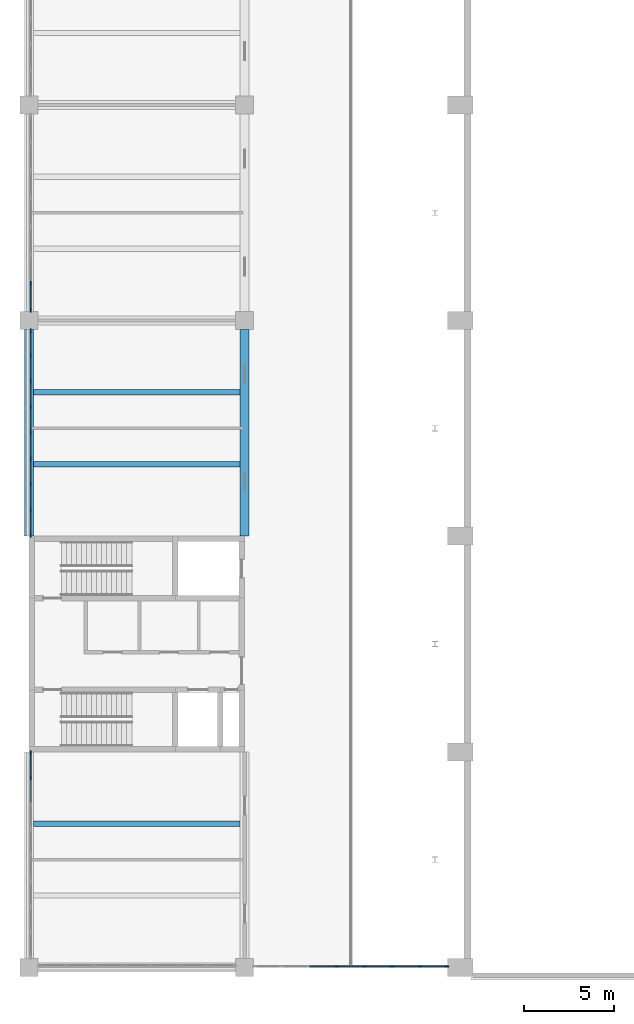
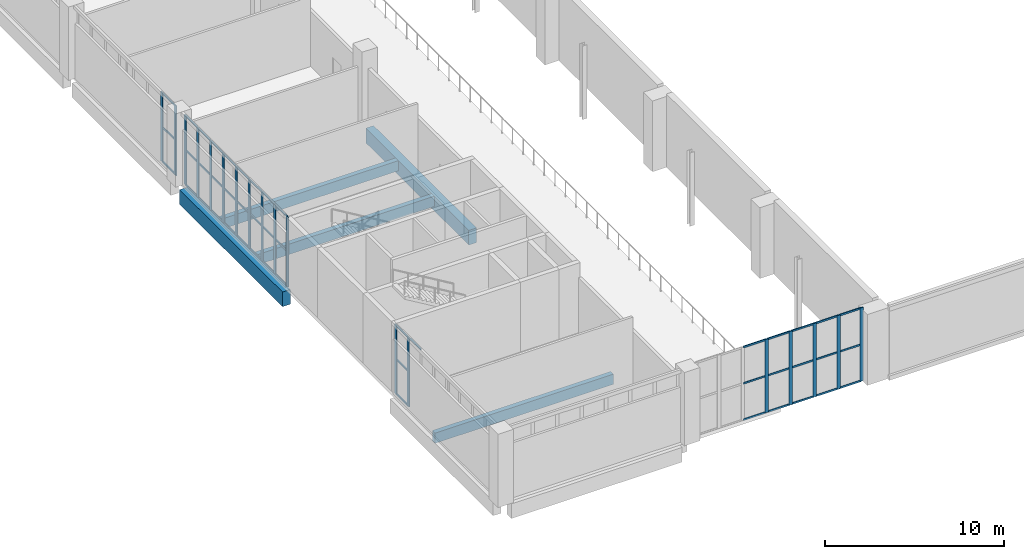
# One storey, part 13 of 69: 64 members, 5 beams, 4 elements without a shape of their own.
"""IFC4 building model written with IfcOpenShell, lengths in metres."""

from ifc_helpers import new_model, si_unit, direction, frame, origin, origin_2d, place, context, subcontext, project, spatial, rectangle, extrude, material, layer, layer_set, material_profile, profile_set, type_object, element, aggregate, save


model = new_model("IFC4")

# Units and contexts
model_context = context("Model", 3, precision=1e-05, world=origin(), true_north=direction((0.0, 1.0)))
body_context = subcontext(model_context, "Body", "Model", "MODEL_VIEW")
ifc_project = project(units=[si_unit("LENGTHUNIT", "METRE"), si_unit("AREAUNIT", "SQUARE_METRE"), si_unit("VOLUMEUNIT", "CUBIC_METRE"), si_unit("PLANEANGLEUNIT", "RADIAN"), si_unit("MASSUNIT", "GRAM", prefix="KILO")], contexts=[model_context])

# Site, building, storey
site_placement = place(None, origin())
site = spatial("IfcSite", under=ifc_project, at=site_placement, CompositionType="ELEMENT")
building_placement = place(site_placement, origin())
building = spatial("IfcBuilding", under=site, at=building_placement, Name="Lilac Gate Convention Centre", CompositionType="ELEMENT")
storey_placement = place(building_placement, frame((0.0, 0.0, 12.0)))
storey = spatial("IfcBuildingStorey", under=building, at=storey_placement, Name="L02", CompositionType="ELEMENT", Elevation=12.0)

# Curtain wall, members
ifc_material_1 = material(Name="Aluminium framed double glazing", Category="aluminium")
ifc_layer = layer(ifc_material_1, 0.199951171875)
ifc_layer_set = layer_set([ifc_layer], Name="Aluminium framed double glazing")
curtain_wall_type = type_object("IfcCurtainWallType", Name="Unitised curtain wall 1500", PredefinedType="NOTDEFINED", material=ifc_layer_set)
curtain_wall_1_placement = place(storey_placement, origin())
curtain_wall_1 = element("IfcCurtainWall", 1, at=curtain_wall_1_placement, inside=storey, type_object=curtain_wall_type, Name="Curtain wall PW L02 10", PredefinedType="NOTDEFINED")
ifc_material_2 = material(Name="Aluminium alloy 6063", Category="aluminium")
ifc_material_profile_1 = material_profile(ifc_material_2, rectangle(XDim=0.06005859375, YDim=0.219970703125, at=origin_2d()), Name="Curtain wall mullion 60 x 220")
ifc_profile_set_1 = profile_set([ifc_material_profile_1], Name="Aluminium alloy 6063")
member_type_1 = type_object("IfcMemberType", Name="Curtain wall mullion 60 x 220", PredefinedType="MULLION", material=ifc_profile_set_1)
member_1_placement = place(storey_placement, frame((6.10009765625, 68.071533203125, 0.0), z_axis=(0.0, 0.0, 1.0), x_axis=(1.0, 0.0, 0.0)))
member_1 = element("IfcMember", 2, at=member_1_placement, type_object=member_type_1, Name="CW mullion 7", PredefinedType="MULLION", context=body_context, shape_type="SweptSolid", body=[
    extrude(rectangle(XDim=0.06005859375, YDim=0.219970703125, at=origin_2d()), origin(), (0.0, 0.0, 1.0), 4.75),
])
member_2_placement = place(storey_placement, frame((6.10009765625, 66.56005859375, 0.0), z_axis=(0.0, 0.0, 1.0), x_axis=(1.0, 0.0, 0.0)))
member_2 = element("IfcMember", 3, at=member_2_placement, type_object=member_type_1, Name="CW mullion 8", PredefinedType="MULLION", context=body_context, shape_type="SweptSolid", body=[
    extrude(rectangle(XDim=0.06005859375, YDim=0.219970703125, at=origin_2d()), origin(), (0.0, 0.0, 1.0), 4.75),
])

curtain_wall_2_placement = place(storey_placement, origin())
curtain_wall_2 = element("IfcCurtainWall", 4, at=curtain_wall_2_placement, inside=storey, type_object=curtain_wall_type, Name="Curtain wall PW L02 11", PredefinedType="NOTDEFINED")
member_3_placement = place(storey_placement, frame((6.10009765625, 65.43994140625, 0.0), z_axis=(0.0, 0.0, 1.0), x_axis=(1.0, 0.0, 0.0)))
member_3 = element("IfcMember", 5, at=member_3_placement, type_object=member_type_1, Name="CW mullion 1", PredefinedType="MULLION", context=body_context, shape_type="SweptSolid", body=[
    extrude(rectangle(XDim=0.06005859375, YDim=0.219970703125, at=origin_2d()), origin(), (0.0, 0.0, 1.0), 4.75),
])
member_4_placement = place(storey_placement, frame((6.10009765625, 64.0625, 0.0), z_axis=(0.0, 0.0, 1.0), x_axis=(1.0, 0.0, 0.0)))
member_4 = element("IfcMember", 6, at=member_4_placement, type_object=member_type_1, Name="CW mullion 2", PredefinedType="MULLION", context=body_context, shape_type="SweptSolid", body=[
    extrude(rectangle(XDim=0.06005859375, YDim=0.219970703125, at=origin_2d()), origin(), (0.0, 0.0, 1.0), 4.75),
])
member_5_placement = place(storey_placement, frame((6.10009765625, 62.625, 0.0), z_axis=(0.0, 0.0, 1.0), x_axis=(1.0, 0.0, 0.0)))
member_5 = element("IfcMember", 7, at=member_5_placement, type_object=member_type_1, Name="CW mullion 3", PredefinedType="MULLION", context=body_context, shape_type="SweptSolid", body=[
    extrude(rectangle(XDim=0.06005859375, YDim=0.219970703125, at=origin_2d()), origin(), (0.0, 0.0, 1.0), 4.75),
])
member_6_placement = place(storey_placement, frame((6.10009765625, 61.1875, 0.0), z_axis=(0.0, 0.0, 1.0), x_axis=(1.0, 0.0, 0.0)))
member_6 = element("IfcMember", 8, at=member_6_placement, type_object=member_type_1, Name="CW mullion 4", PredefinedType="MULLION", context=body_context, shape_type="SweptSolid", body=[
    extrude(rectangle(XDim=0.06005859375, YDim=0.219970703125, at=origin_2d()), origin(), (0.0, 0.0, 1.0), 4.75),
])
member_7_placement = place(storey_placement, frame((6.10009765625, 59.75, 0.0), z_axis=(0.0, 0.0, 1.0), x_axis=(1.0, 0.0, 0.0)))
member_7 = element("IfcMember", 9, at=member_7_placement, type_object=member_type_1, Name="CW mullion 5", PredefinedType="MULLION", context=body_context, shape_type="SweptSolid", body=[
    extrude(rectangle(XDim=0.06005859375, YDim=0.219970703125, at=origin_2d()), origin(), (0.0, 0.0, 1.0), 4.75),
])
member_8_placement = place(storey_placement, frame((6.10009765625, 58.3125, 0.0), z_axis=(0.0, 0.0, 1.0), x_axis=(1.0, 0.0, 0.0)))
member_8 = element("IfcMember", 10, at=member_8_placement, type_object=member_type_1, Name="CW mullion 6", PredefinedType="MULLION", context=body_context, shape_type="SweptSolid", body=[
    extrude(rectangle(XDim=0.06005859375, YDim=0.219970703125, at=origin_2d()), origin(), (0.0, 0.0, 1.0), 4.75),
])
member_9_placement = place(storey_placement, frame((6.10009765625, 56.875, 0.0), z_axis=(0.0, 0.0, 1.0), x_axis=(1.0, 0.0, 0.0)))
member_9 = element("IfcMember", 11, at=member_9_placement, type_object=member_type_1, Name="CW mullion 7", PredefinedType="MULLION", context=body_context, shape_type="SweptSolid", body=[
    extrude(rectangle(XDim=0.06005859375, YDim=0.219970703125, at=origin_2d()), origin(), (0.0, 0.0, 1.0), 4.75),
])
member_10_placement = place(storey_placement, frame((6.10009765625, 55.4375, 0.0), z_axis=(0.0, 0.0, 1.0), x_axis=(1.0, 0.0, 0.0)))
member_10 = element("IfcMember", 12, at=member_10_placement, type_object=member_type_1, Name="CW mullion 8", PredefinedType="MULLION", context=body_context, shape_type="SweptSolid", body=[
    extrude(rectangle(XDim=0.06005859375, YDim=0.219970703125, at=origin_2d()), origin(), (0.0, 0.0, 1.0), 4.75),
])
member_11_placement = place(storey_placement, frame((6.10009765625, 54.06005859375, 0.0), z_axis=(0.0, 0.0, 1.0), x_axis=(1.0, 0.0, 0.0)))
member_11 = element("IfcMember", 13, at=member_11_placement, type_object=member_type_1, Name="CW mullion 9", PredefinedType="MULLION", context=body_context, shape_type="SweptSolid", body=[
    extrude(rectangle(XDim=0.06005859375, YDim=0.219970703125, at=origin_2d()), origin(), (0.0, 0.0, 1.0), 4.75),
])

curtain_wall_3_placement = place(storey_placement, origin())
curtain_wall_3 = element("IfcCurtainWall", 14, at=curtain_wall_3_placement, inside=storey, type_object=curtain_wall_type, Name="Curtain wall PW L02 12", PredefinedType="NOTDEFINED")
member_12_placement = place(storey_placement, frame((6.10009765625, 41.93994140625, 0.0), z_axis=(0.0, 0.0, 1.0), x_axis=(1.0, 0.0, 0.0)))
member_12 = element("IfcMember", 15, at=member_12_placement, type_object=member_type_1, Name="CW mullion 1", PredefinedType="MULLION", context=body_context, shape_type="SweptSolid", body=[
    extrude(rectangle(XDim=0.06005859375, YDim=0.219970703125, at=origin_2d()), origin(), (0.0, 0.0, 1.0), 4.75),
])
member_13_placement = place(storey_placement, frame((6.10009765625, 40.5625, 0.0), z_axis=(0.0, 0.0, 1.0), x_axis=(1.0, 0.0, 0.0)))
member_13 = element("IfcMember", 16, at=member_13_placement, type_object=member_type_1, Name="CW mullion 2", PredefinedType="MULLION", context=body_context, shape_type="SweptSolid", body=[
    extrude(rectangle(XDim=0.06005859375, YDim=0.219970703125, at=origin_2d()), origin(), (0.0, 0.0, 1.0), 4.75),
])

curtain_wall_4_placement = place(storey_placement, origin())
curtain_wall_4 = element("IfcCurtainWall", 17, at=curtain_wall_4_placement, inside=storey, type_object=curtain_wall_type, Name="Galleria end glazing L02", PredefinedType="NOTDEFINED")
member_14_placement = place(storey_placement, frame((23.128662109375, 30.050048828125, 0.0), z_axis=(0.0, 0.0, 1.0), x_axis=(0.0, 1.0, 0.0)))
member_14 = element("IfcMember", 18, at=member_14_placement, type_object=member_type_1, Name="CW mullion 4", PredefinedType="MULLION", context=body_context, shape_type="SweptSolid", body=[
    extrude(rectangle(XDim=0.06005859375, YDim=0.219970703125, at=origin_2d()), origin(), (0.0, 0.0, 1.0), 5.0),
])
member_15_placement = place(storey_placement, frame((24.67138671875, 30.050048828125, 0.0), z_axis=(0.0, 0.0, 1.0), x_axis=(0.0, 1.0, 0.0)))
member_15 = element("IfcMember", 19, at=member_15_placement, type_object=member_type_1, Name="CW mullion 5", PredefinedType="MULLION", context=body_context, shape_type="SweptSolid", body=[
    extrude(rectangle(XDim=0.06005859375, YDim=0.219970703125, at=origin_2d()), origin(), (0.0, 0.0, 1.0), 5.0),
])
member_16_placement = place(storey_placement, frame((26.21435546875, 30.050048828125, 0.0), z_axis=(0.0, 0.0, 1.0), x_axis=(0.0, 1.0, 0.0)))
member_16 = element("IfcMember", 20, at=member_16_placement, type_object=member_type_1, Name="CW mullion 6", PredefinedType="MULLION", context=body_context, shape_type="SweptSolid", body=[
    extrude(rectangle(XDim=0.06005859375, YDim=0.219970703125, at=origin_2d()), origin(), (0.0, 0.0, 1.0), 5.0),
])
member_17_placement = place(storey_placement, frame((27.757080078125, 30.050048828125, 0.0), z_axis=(0.0, 0.0, 1.0), x_axis=(0.0, 1.0, 0.0)))
member_17 = element("IfcMember", 21, at=member_17_placement, type_object=member_type_1, Name="CW mullion 7", PredefinedType="MULLION", context=body_context, shape_type="SweptSolid", body=[
    extrude(rectangle(XDim=0.06005859375, YDim=0.219970703125, at=origin_2d()), origin(), (0.0, 0.0, 1.0), 5.0),
])
member_18_placement = place(storey_placement, frame((29.239990234375, 30.050048828125, 0.0), z_axis=(0.0, 0.0, 1.0), x_axis=(0.0, 1.0, 0.0)))
member_18 = element("IfcMember", 22, at=member_18_placement, type_object=member_type_1, Name="CW mullion 8", PredefinedType="MULLION", context=body_context, shape_type="SweptSolid", body=[
    extrude(rectangle(XDim=0.06005859375, YDim=0.219970703125, at=origin_2d()), origin(), (0.0, 0.0, 1.0), 5.0),
])

# Member
ifc_material_profile_2 = material_profile(ifc_material_2, rectangle(XDim=0.06005859375, YDim=0.1201171875, at=origin_2d()), Name="Curtain wall transom 60 x 120")
ifc_profile_set_2 = profile_set([ifc_material_profile_2], Name="Aluminium alloy 6063")
member_type_2 = type_object("IfcMemberType", Name="Curtain wall transom 60 x 120", PredefinedType="USERDEFINED", material=ifc_profile_set_2)
member_19_placement = place(storey_placement, frame((6.10009765625, 68.04150390625, 0.030029296875), z_axis=(0.0, -1.0, 0.0), x_axis=(1.0, 0.0, 0.0)))
member_19 = element("IfcMember", 23, at=member_19_placement, type_object=member_type_2, Name="CW transom 7.1", ObjectType="TRANSOM", PredefinedType="USERDEFINED", context=body_context, shape_type="SweptSolid", body=[
    extrude(rectangle(XDim=0.06005859375, YDim=0.1201171875, at=origin_2d()), origin(), (0.0, 0.0, 1.0), 1.4814453125),
])

member_20_placement = place(storey_placement, frame((6.10009765625, 68.04150390625, 2.375), z_axis=(0.0, -1.0, 0.0), x_axis=(1.0, 0.0, 0.0)))
member_20 = element("IfcMember", 24, at=member_20_placement, type_object=member_type_2, Name="CW transom 7.2", ObjectType="TRANSOM", PredefinedType="USERDEFINED", context=body_context, shape_type="SweptSolid", body=[
    extrude(rectangle(XDim=0.06005859375, YDim=0.1201171875, at=origin_2d()), origin(), (0.0, 0.0, 1.0), 1.4814453125),
])

member_21_placement = place(storey_placement, frame((6.10009765625, 68.04150390625, 4.719970703125), z_axis=(0.0, -1.0, 0.0), x_axis=(1.0, 0.0, 0.0)))
member_21 = element("IfcMember", 25, at=member_21_placement, type_object=member_type_2, Name="CW transom 7.3", ObjectType="TRANSOM", PredefinedType="USERDEFINED", context=body_context, shape_type="SweptSolid", body=[
    extrude(rectangle(XDim=0.06005859375, YDim=0.1201171875, at=origin_2d()), origin(), (0.0, 0.0, 1.0), 1.4814453125),
])

aggregate(curtain_wall_1, [member_1, member_2, member_19, member_20, member_21])

member_22_placement = place(storey_placement, frame((6.10009765625, 65.43994140625, 0.030029296875), z_axis=(0.0, -1.0, 0.0), x_axis=(1.0, 0.0, 0.0)))
member_22 = element("IfcMember", 26, at=member_22_placement, type_object=member_type_2, Name="CW transom 1.1", ObjectType="TRANSOM", PredefinedType="USERDEFINED", context=body_context, shape_type="SweptSolid", body=[
    extrude(rectangle(XDim=0.06005859375, YDim=0.1201171875, at=origin_2d()), origin(), (0.0, 0.0, 1.0), 1.347412109375),
])

member_23_placement = place(storey_placement, frame((6.10009765625, 65.43994140625, 2.375), z_axis=(0.0, -1.0, 0.0), x_axis=(1.0, 0.0, 0.0)))
member_23 = element("IfcMember", 27, at=member_23_placement, type_object=member_type_2, Name="CW transom 1.2", ObjectType="TRANSOM", PredefinedType="USERDEFINED", context=body_context, shape_type="SweptSolid", body=[
    extrude(rectangle(XDim=0.06005859375, YDim=0.1201171875, at=origin_2d()), origin(), (0.0, 0.0, 1.0), 1.347412109375),
])

member_24_placement = place(storey_placement, frame((6.10009765625, 65.43994140625, 4.719970703125), z_axis=(0.0, -1.0, 0.0), x_axis=(1.0, 0.0, 0.0)))
member_24 = element("IfcMember", 28, at=member_24_placement, type_object=member_type_2, Name="CW transom 1.3", ObjectType="TRANSOM", PredefinedType="USERDEFINED", context=body_context, shape_type="SweptSolid", body=[
    extrude(rectangle(XDim=0.06005859375, YDim=0.1201171875, at=origin_2d()), origin(), (0.0, 0.0, 1.0), 1.347412109375),
])

member_25_placement = place(storey_placement, frame((6.10009765625, 64.032470703125, 0.030029296875), z_axis=(0.0, -1.0, 0.0), x_axis=(1.0, 0.0, 0.0)))
member_25 = element("IfcMember", 29, at=member_25_placement, type_object=member_type_2, Name="CW transom 2.1", ObjectType="TRANSOM", PredefinedType="USERDEFINED", context=body_context, shape_type="SweptSolid", body=[
    extrude(rectangle(XDim=0.06005859375, YDim=0.1201171875, at=origin_2d()), origin(), (0.0, 0.0, 1.0), 1.37744140625),
])

member_26_placement = place(storey_placement, frame((6.10009765625, 64.032470703125, 2.375), z_axis=(0.0, -1.0, 0.0), x_axis=(1.0, 0.0, 0.0)))
member_26 = element("IfcMember", 30, at=member_26_placement, type_object=member_type_2, Name="CW transom 2.2", ObjectType="TRANSOM", PredefinedType="USERDEFINED", context=body_context, shape_type="SweptSolid", body=[
    extrude(rectangle(XDim=0.06005859375, YDim=0.1201171875, at=origin_2d()), origin(), (0.0, 0.0, 1.0), 1.37744140625),
])

member_27_placement = place(storey_placement, frame((6.10009765625, 64.032470703125, 4.719970703125), z_axis=(0.0, -1.0, 0.0), x_axis=(1.0, 0.0, 0.0)))
member_27 = element("IfcMember", 31, at=member_27_placement, type_object=member_type_2, Name="CW transom 2.3", ObjectType="TRANSOM", PredefinedType="USERDEFINED", context=body_context, shape_type="SweptSolid", body=[
    extrude(rectangle(XDim=0.06005859375, YDim=0.1201171875, at=origin_2d()), origin(), (0.0, 0.0, 1.0), 1.37744140625),
])

member_28_placement = place(storey_placement, frame((6.10009765625, 62.594970703125, 0.030029296875), z_axis=(0.0, -1.0, 0.0), x_axis=(1.0, 0.0, 0.0)))
member_28 = element("IfcMember", 32, at=member_28_placement, type_object=member_type_2, Name="CW transom 3.1", ObjectType="TRANSOM", PredefinedType="USERDEFINED", context=body_context, shape_type="SweptSolid", body=[
    extrude(rectangle(XDim=0.06005859375, YDim=0.1201171875, at=origin_2d()), origin(), (0.0, 0.0, 1.0), 1.37744140625),
])

member_29_placement = place(storey_placement, frame((6.10009765625, 62.594970703125, 2.375), z_axis=(0.0, -1.0, 0.0), x_axis=(1.0, 0.0, 0.0)))
member_29 = element("IfcMember", 33, at=member_29_placement, type_object=member_type_2, Name="CW transom 3.2", ObjectType="TRANSOM", PredefinedType="USERDEFINED", context=body_context, shape_type="SweptSolid", body=[
    extrude(rectangle(XDim=0.06005859375, YDim=0.1201171875, at=origin_2d()), origin(), (0.0, 0.0, 1.0), 1.37744140625),
])

member_30_placement = place(storey_placement, frame((6.10009765625, 62.594970703125, 4.719970703125), z_axis=(0.0, -1.0, 0.0), x_axis=(1.0, 0.0, 0.0)))
member_30 = element("IfcMember", 34, at=member_30_placement, type_object=member_type_2, Name="CW transom 3.3", ObjectType="TRANSOM", PredefinedType="USERDEFINED", context=body_context, shape_type="SweptSolid", body=[
    extrude(rectangle(XDim=0.06005859375, YDim=0.1201171875, at=origin_2d()), origin(), (0.0, 0.0, 1.0), 1.37744140625),
])

member_31_placement = place(storey_placement, frame((6.10009765625, 61.157470703125, 0.030029296875), z_axis=(0.0, -1.0, 0.0), x_axis=(1.0, 0.0, 0.0)))
member_31 = element("IfcMember", 35, at=member_31_placement, type_object=member_type_2, Name="CW transom 4.1", ObjectType="TRANSOM", PredefinedType="USERDEFINED", context=body_context, shape_type="SweptSolid", body=[
    extrude(rectangle(XDim=0.06005859375, YDim=0.1201171875, at=origin_2d()), origin(), (0.0, 0.0, 1.0), 1.37744140625),
])

member_32_placement = place(storey_placement, frame((6.10009765625, 61.157470703125, 2.375), z_axis=(0.0, -1.0, 0.0), x_axis=(1.0, 0.0, 0.0)))
member_32 = element("IfcMember", 36, at=member_32_placement, type_object=member_type_2, Name="CW transom 4.2", ObjectType="TRANSOM", PredefinedType="USERDEFINED", context=body_context, shape_type="SweptSolid", body=[
    extrude(rectangle(XDim=0.06005859375, YDim=0.1201171875, at=origin_2d()), origin(), (0.0, 0.0, 1.0), 1.37744140625),
])

member_33_placement = place(storey_placement, frame((6.10009765625, 61.157470703125, 4.719970703125), z_axis=(0.0, -1.0, 0.0), x_axis=(1.0, 0.0, 0.0)))
member_33 = element("IfcMember", 37, at=member_33_placement, type_object=member_type_2, Name="CW transom 4.3", ObjectType="TRANSOM", PredefinedType="USERDEFINED", context=body_context, shape_type="SweptSolid", body=[
    extrude(rectangle(XDim=0.06005859375, YDim=0.1201171875, at=origin_2d()), origin(), (0.0, 0.0, 1.0), 1.37744140625),
])

member_34_placement = place(storey_placement, frame((6.10009765625, 59.719970703125, 0.030029296875), z_axis=(0.0, -1.0, 0.0), x_axis=(1.0, 0.0, 0.0)))
member_34 = element("IfcMember", 38, at=member_34_placement, type_object=member_type_2, Name="CW transom 5.1", ObjectType="TRANSOM", PredefinedType="USERDEFINED", context=body_context, shape_type="SweptSolid", body=[
    extrude(rectangle(XDim=0.06005859375, YDim=0.1201171875, at=origin_2d()), origin(), (0.0, 0.0, 1.0), 1.37744140625),
])

member_35_placement = place(storey_placement, frame((6.10009765625, 59.719970703125, 2.375), z_axis=(0.0, -1.0, 0.0), x_axis=(1.0, 0.0, 0.0)))
member_35 = element("IfcMember", 39, at=member_35_placement, type_object=member_type_2, Name="CW transom 5.2", ObjectType="TRANSOM", PredefinedType="USERDEFINED", context=body_context, shape_type="SweptSolid", body=[
    extrude(rectangle(XDim=0.06005859375, YDim=0.1201171875, at=origin_2d()), origin(), (0.0, 0.0, 1.0), 1.37744140625),
])

member_36_placement = place(storey_placement, frame((6.10009765625, 59.719970703125, 4.719970703125), z_axis=(0.0, -1.0, 0.0), x_axis=(1.0, 0.0, 0.0)))
member_36 = element("IfcMember", 40, at=member_36_placement, type_object=member_type_2, Name="CW transom 5.3", ObjectType="TRANSOM", PredefinedType="USERDEFINED", context=body_context, shape_type="SweptSolid", body=[
    extrude(rectangle(XDim=0.06005859375, YDim=0.1201171875, at=origin_2d()), origin(), (0.0, 0.0, 1.0), 1.37744140625),
])

member_37_placement = place(storey_placement, frame((6.10009765625, 58.282470703125, 0.030029296875), z_axis=(0.0, -1.0, 0.0), x_axis=(1.0, 0.0, 0.0)))
member_37 = element("IfcMember", 41, at=member_37_placement, type_object=member_type_2, Name="CW transom 6.1", ObjectType="TRANSOM", PredefinedType="USERDEFINED", context=body_context, shape_type="SweptSolid", body=[
    extrude(rectangle(XDim=0.06005859375, YDim=0.1201171875, at=origin_2d()), origin(), (0.0, 0.0, 1.0), 1.37744140625),
])

member_38_placement = place(storey_placement, frame((6.10009765625, 58.282470703125, 2.375), z_axis=(0.0, -1.0, 0.0), x_axis=(1.0, 0.0, 0.0)))
member_38 = element("IfcMember", 42, at=member_38_placement, type_object=member_type_2, Name="CW transom 6.2", ObjectType="TRANSOM", PredefinedType="USERDEFINED", context=body_context, shape_type="SweptSolid", body=[
    extrude(rectangle(XDim=0.06005859375, YDim=0.1201171875, at=origin_2d()), origin(), (0.0, 0.0, 1.0), 1.37744140625),
])

member_39_placement = place(storey_placement, frame((6.10009765625, 58.282470703125, 4.719970703125), z_axis=(0.0, -1.0, 0.0), x_axis=(1.0, 0.0, 0.0)))
member_39 = element("IfcMember", 43, at=member_39_placement, type_object=member_type_2, Name="CW transom 6.3", ObjectType="TRANSOM", PredefinedType="USERDEFINED", context=body_context, shape_type="SweptSolid", body=[
    extrude(rectangle(XDim=0.06005859375, YDim=0.1201171875, at=origin_2d()), origin(), (0.0, 0.0, 1.0), 1.37744140625),
])

member_40_placement = place(storey_placement, frame((6.10009765625, 56.844970703125, 0.030029296875), z_axis=(0.0, -1.0, 0.0), x_axis=(1.0, 0.0, 0.0)))
member_40 = element("IfcMember", 44, at=member_40_placement, type_object=member_type_2, Name="CW transom 7.1", ObjectType="TRANSOM", PredefinedType="USERDEFINED", context=body_context, shape_type="SweptSolid", body=[
    extrude(rectangle(XDim=0.06005859375, YDim=0.1201171875, at=origin_2d()), origin(), (0.0, 0.0, 1.0), 1.37744140625),
])

member_41_placement = place(storey_placement, frame((6.10009765625, 56.844970703125, 2.375), z_axis=(0.0, -1.0, 0.0), x_axis=(1.0, 0.0, 0.0)))
member_41 = element("IfcMember", 45, at=member_41_placement, type_object=member_type_2, Name="CW transom 7.2", ObjectType="TRANSOM", PredefinedType="USERDEFINED", context=body_context, shape_type="SweptSolid", body=[
    extrude(rectangle(XDim=0.06005859375, YDim=0.1201171875, at=origin_2d()), origin(), (0.0, 0.0, 1.0), 1.37744140625),
])

member_42_placement = place(storey_placement, frame((6.10009765625, 56.844970703125, 4.719970703125), z_axis=(0.0, -1.0, 0.0), x_axis=(1.0, 0.0, 0.0)))
member_42 = element("IfcMember", 46, at=member_42_placement, type_object=member_type_2, Name="CW transom 7.3", ObjectType="TRANSOM", PredefinedType="USERDEFINED", context=body_context, shape_type="SweptSolid", body=[
    extrude(rectangle(XDim=0.06005859375, YDim=0.1201171875, at=origin_2d()), origin(), (0.0, 0.0, 1.0), 1.37744140625),
])

member_43_placement = place(storey_placement, frame((6.10009765625, 55.407470703125, 0.030029296875), z_axis=(0.0, -1.0, 0.0), x_axis=(1.0, 0.0, 0.0)))
member_43 = element("IfcMember", 47, at=member_43_placement, type_object=member_type_2, Name="CW transom 8.1", ObjectType="TRANSOM", PredefinedType="USERDEFINED", context=body_context, shape_type="SweptSolid", body=[
    extrude(rectangle(XDim=0.06005859375, YDim=0.1201171875, at=origin_2d()), origin(), (0.0, 0.0, 1.0), 1.347412109375),
])

member_44_placement = place(storey_placement, frame((6.10009765625, 55.407470703125, 2.375), z_axis=(0.0, -1.0, 0.0), x_axis=(1.0, 0.0, 0.0)))
member_44 = element("IfcMember", 48, at=member_44_placement, type_object=member_type_2, Name="CW transom 8.2", ObjectType="TRANSOM", PredefinedType="USERDEFINED", context=body_context, shape_type="SweptSolid", body=[
    extrude(rectangle(XDim=0.06005859375, YDim=0.1201171875, at=origin_2d()), origin(), (0.0, 0.0, 1.0), 1.347412109375),
])

member_45_placement = place(storey_placement, frame((6.10009765625, 55.407470703125, 4.719970703125), z_axis=(0.0, -1.0, 0.0), x_axis=(1.0, 0.0, 0.0)))
member_45 = element("IfcMember", 49, at=member_45_placement, type_object=member_type_2, Name="CW transom 8.3", ObjectType="TRANSOM", PredefinedType="USERDEFINED", context=body_context, shape_type="SweptSolid", body=[
    extrude(rectangle(XDim=0.06005859375, YDim=0.1201171875, at=origin_2d()), origin(), (0.0, 0.0, 1.0), 1.347412109375),
])

aggregate(curtain_wall_2, [member_3, member_4, member_5, member_6, member_7, member_8, member_9, member_10, member_11, member_22, member_23, member_24, member_25, member_26, member_27, member_28, member_29, member_30, member_31, member_32, member_33, member_34, member_35, member_36, member_37, member_38, member_39, member_40, member_41, member_42, member_43, member_44, member_45])

member_46_placement = place(storey_placement, frame((6.10009765625, 41.93994140625, 0.030029296875), z_axis=(0.0, -1.0, 0.0), x_axis=(1.0, 0.0, 0.0)))
member_46 = element("IfcMember", 50, at=member_46_placement, type_object=member_type_2, Name="CW transom 1.1", ObjectType="TRANSOM", PredefinedType="USERDEFINED", context=body_context, shape_type="SweptSolid", body=[
    extrude(rectangle(XDim=0.06005859375, YDim=0.1201171875, at=origin_2d()), origin(), (0.0, 0.0, 1.0), 1.347412109375),
])

member_47_placement = place(storey_placement, frame((6.10009765625, 41.93994140625, 2.375), z_axis=(0.0, -1.0, 0.0), x_axis=(1.0, 0.0, 0.0)))
member_47 = element("IfcMember", 51, at=member_47_placement, type_object=member_type_2, Name="CW transom 1.2", ObjectType="TRANSOM", PredefinedType="USERDEFINED", context=body_context, shape_type="SweptSolid", body=[
    extrude(rectangle(XDim=0.06005859375, YDim=0.1201171875, at=origin_2d()), origin(), (0.0, 0.0, 1.0), 1.347412109375),
])

member_48_placement = place(storey_placement, frame((6.10009765625, 41.93994140625, 4.719970703125), z_axis=(0.0, -1.0, 0.0), x_axis=(1.0, 0.0, 0.0)))
member_48 = element("IfcMember", 52, at=member_48_placement, type_object=member_type_2, Name="CW transom 1.3", ObjectType="TRANSOM", PredefinedType="USERDEFINED", context=body_context, shape_type="SweptSolid", body=[
    extrude(rectangle(XDim=0.06005859375, YDim=0.1201171875, at=origin_2d()), origin(), (0.0, 0.0, 1.0), 1.347412109375),
])

member_49_placement = place(storey_placement, frame((6.10009765625, 40.532470703125, 4.719970703125), z_axis=(0.0, -1.0, 0.0), x_axis=(1.0, 0.0, 0.0)))
member_49 = element("IfcMember", 53, at=member_49_placement, type_object=member_type_2, Name="CW transom 2.3", ObjectType="TRANSOM", PredefinedType="USERDEFINED", context=body_context, shape_type="SweptSolid", body=[
    extrude(rectangle(XDim=0.06005859375, YDim=0.1201171875, at=origin_2d()), origin(), (0.0, 0.0, 1.0), 1.37744140625),
])

aggregate(curtain_wall_3, [member_12, member_13, member_46, member_47, member_48, member_49])

member_50_placement = place(storey_placement, frame((21.61572265625, 30.050048828125, 0.030029296875), z_axis=(1.0, 0.0, 0.0), x_axis=(0.0, 1.0, 0.0)))
member_50 = element("IfcMember", 54, at=member_50_placement, type_object=member_type_2, Name="CW transom 3.1", ObjectType="TRANSOM", PredefinedType="USERDEFINED", context=body_context, shape_type="SweptSolid", body=[
    extrude(rectangle(XDim=0.06005859375, YDim=0.1201171875, at=origin_2d()), origin(), (0.0, 0.0, 1.0), 1.48291015625),
])

member_51_placement = place(storey_placement, frame((21.61572265625, 30.050048828125, 2.5), z_axis=(1.0, 0.0, 0.0), x_axis=(0.0, 1.0, 0.0)))
member_51 = element("IfcMember", 55, at=member_51_placement, type_object=member_type_2, Name="CW transom 3.2", ObjectType="TRANSOM", PredefinedType="USERDEFINED", context=body_context, shape_type="SweptSolid", body=[
    extrude(rectangle(XDim=0.06005859375, YDim=0.1201171875, at=origin_2d()), origin(), (0.0, 0.0, 1.0), 1.48291015625),
])

member_52_placement = place(storey_placement, frame((21.61572265625, 30.050048828125, 4.969970703125), z_axis=(1.0, 0.0, 0.0), x_axis=(0.0, 1.0, 0.0)))
member_52 = element("IfcMember", 56, at=member_52_placement, type_object=member_type_2, Name="CW transom 3.3", ObjectType="TRANSOM", PredefinedType="USERDEFINED", context=body_context, shape_type="SweptSolid", body=[
    extrude(rectangle(XDim=0.06005859375, YDim=0.1201171875, at=origin_2d()), origin(), (0.0, 0.0, 1.0), 1.48291015625),
])

member_53_placement = place(storey_placement, frame((23.15869140625, 30.050048828125, 0.030029296875), z_axis=(1.0, 0.0, 0.0), x_axis=(0.0, 1.0, 0.0)))
member_53 = element("IfcMember", 57, at=member_53_placement, type_object=member_type_2, Name="CW transom 4.1", ObjectType="TRANSOM", PredefinedType="USERDEFINED", context=body_context, shape_type="SweptSolid", body=[
    extrude(rectangle(XDim=0.06005859375, YDim=0.1201171875, at=origin_2d()), origin(), (0.0, 0.0, 1.0), 1.482666015625),
])

member_54_placement = place(storey_placement, frame((23.15869140625, 30.050048828125, 2.5), z_axis=(1.0, 0.0, 0.0), x_axis=(0.0, 1.0, 0.0)))
member_54 = element("IfcMember", 58, at=member_54_placement, type_object=member_type_2, Name="CW transom 4.2", ObjectType="TRANSOM", PredefinedType="USERDEFINED", context=body_context, shape_type="SweptSolid", body=[
    extrude(rectangle(XDim=0.06005859375, YDim=0.1201171875, at=origin_2d()), origin(), (0.0, 0.0, 1.0), 1.482666015625),
])

member_55_placement = place(storey_placement, frame((23.15869140625, 30.050048828125, 4.969970703125), z_axis=(1.0, 0.0, 0.0), x_axis=(0.0, 1.0, 0.0)))
member_55 = element("IfcMember", 59, at=member_55_placement, type_object=member_type_2, Name="CW transom 4.3", ObjectType="TRANSOM", PredefinedType="USERDEFINED", context=body_context, shape_type="SweptSolid", body=[
    extrude(rectangle(XDim=0.06005859375, YDim=0.1201171875, at=origin_2d()), origin(), (0.0, 0.0, 1.0), 1.482666015625),
])

member_56_placement = place(storey_placement, frame((24.701416015625, 30.050048828125, 0.030029296875), z_axis=(1.0, 0.0, 0.0), x_axis=(0.0, 1.0, 0.0)))
member_56 = element("IfcMember", 60, at=member_56_placement, type_object=member_type_2, Name="CW transom 5.1", ObjectType="TRANSOM", PredefinedType="USERDEFINED", context=body_context, shape_type="SweptSolid", body=[
    extrude(rectangle(XDim=0.06005859375, YDim=0.1201171875, at=origin_2d()), origin(), (0.0, 0.0, 1.0), 1.48291015625),
])

member_57_placement = place(storey_placement, frame((24.701416015625, 30.050048828125, 2.5), z_axis=(1.0, 0.0, 0.0), x_axis=(0.0, 1.0, 0.0)))
member_57 = element("IfcMember", 61, at=member_57_placement, type_object=member_type_2, Name="CW transom 5.2", ObjectType="TRANSOM", PredefinedType="USERDEFINED", context=body_context, shape_type="SweptSolid", body=[
    extrude(rectangle(XDim=0.06005859375, YDim=0.1201171875, at=origin_2d()), origin(), (0.0, 0.0, 1.0), 1.48291015625),
])

member_58_placement = place(storey_placement, frame((24.701416015625, 30.050048828125, 4.969970703125), z_axis=(1.0, 0.0, 0.0), x_axis=(0.0, 1.0, 0.0)))
member_58 = element("IfcMember", 62, at=member_58_placement, type_object=member_type_2, Name="CW transom 5.3", ObjectType="TRANSOM", PredefinedType="USERDEFINED", context=body_context, shape_type="SweptSolid", body=[
    extrude(rectangle(XDim=0.06005859375, YDim=0.1201171875, at=origin_2d()), origin(), (0.0, 0.0, 1.0), 1.48291015625),
])

member_59_placement = place(storey_placement, frame((26.244384765625, 30.050048828125, 0.030029296875), z_axis=(1.0, 0.0, 0.0), x_axis=(0.0, 1.0, 0.0)))
member_59 = element("IfcMember", 63, at=member_59_placement, type_object=member_type_2, Name="CW transom 6.1", ObjectType="TRANSOM", PredefinedType="USERDEFINED", context=body_context, shape_type="SweptSolid", body=[
    extrude(rectangle(XDim=0.06005859375, YDim=0.1201171875, at=origin_2d()), origin(), (0.0, 0.0, 1.0), 1.48291015625),
])

member_60_placement = place(storey_placement, frame((26.244384765625, 30.050048828125, 2.5), z_axis=(1.0, 0.0, 0.0), x_axis=(0.0, 1.0, 0.0)))
member_60 = element("IfcMember", 64, at=member_60_placement, type_object=member_type_2, Name="CW transom 6.2", ObjectType="TRANSOM", PredefinedType="USERDEFINED", context=body_context, shape_type="SweptSolid", body=[
    extrude(rectangle(XDim=0.06005859375, YDim=0.1201171875, at=origin_2d()), origin(), (0.0, 0.0, 1.0), 1.48291015625),
])

member_61_placement = place(storey_placement, frame((26.244384765625, 30.050048828125, 4.969970703125), z_axis=(1.0, 0.0, 0.0), x_axis=(0.0, 1.0, 0.0)))
member_61 = element("IfcMember", 65, at=member_61_placement, type_object=member_type_2, Name="CW transom 6.3", ObjectType="TRANSOM", PredefinedType="USERDEFINED", context=body_context, shape_type="SweptSolid", body=[
    extrude(rectangle(XDim=0.06005859375, YDim=0.1201171875, at=origin_2d()), origin(), (0.0, 0.0, 1.0), 1.48291015625),
])

member_62_placement = place(storey_placement, frame((27.787109375, 30.050048828125, 0.030029296875), z_axis=(1.0, 0.0, 0.0), x_axis=(0.0, 1.0, 0.0)))
member_62 = element("IfcMember", 66, at=member_62_placement, type_object=member_type_2, Name="CW transom 7.1", ObjectType="TRANSOM", PredefinedType="USERDEFINED", context=body_context, shape_type="SweptSolid", body=[
    extrude(rectangle(XDim=0.06005859375, YDim=0.1201171875, at=origin_2d()), origin(), (0.0, 0.0, 1.0), 1.452880859375),
])

member_63_placement = place(storey_placement, frame((27.787109375, 30.050048828125, 2.5), z_axis=(1.0, 0.0, 0.0), x_axis=(0.0, 1.0, 0.0)))
member_63 = element("IfcMember", 67, at=member_63_placement, type_object=member_type_2, Name="CW transom 7.2", ObjectType="TRANSOM", PredefinedType="USERDEFINED", context=body_context, shape_type="SweptSolid", body=[
    extrude(rectangle(XDim=0.06005859375, YDim=0.1201171875, at=origin_2d()), origin(), (0.0, 0.0, 1.0), 1.452880859375),
])

member_64_placement = place(storey_placement, frame((27.787109375, 30.050048828125, 4.969970703125), z_axis=(1.0, 0.0, 0.0), x_axis=(0.0, 1.0, 0.0)))
member_64 = element("IfcMember", 68, at=member_64_placement, type_object=member_type_2, Name="CW transom 7.3", ObjectType="TRANSOM", PredefinedType="USERDEFINED", context=body_context, shape_type="SweptSolid", body=[
    extrude(rectangle(XDim=0.06005859375, YDim=0.1201171875, at=origin_2d()), origin(), (0.0, 0.0, 1.0), 1.452880859375),
])

aggregate(curtain_wall_4, [member_14, member_15, member_16, member_17, member_18, member_50, member_51, member_52, member_53, member_54, member_55, member_56, member_57, member_58, member_59, member_60, member_61, member_62, member_63, member_64])

# Beams
ifc_material_3 = material(Name="Concrete C40", Category="concrete")
ifc_material_profile_3 = material_profile(ifc_material_3, rectangle(XDim=0.5, YDim=1.0, at=origin_2d()), Name="RC 500x1000")
ifc_profile_set_3 = profile_set([ifc_material_profile_3], Name="Concrete C40")
beam_type_1 = type_object("IfcBeamType", Name="Primary beam 500x1000 C40", PredefinedType="BEAM", material=ifc_profile_set_3)
for number, where, z_axis, x_axis, name in (
    (69, (6.0, 54.0, -0.75), (0.0, 1.0, 0.0), (-1.0, 0.0, 0.0), "RB1 L02 1/C-1/D"),
    (70, (18.0, 54.0, -0.75), (0.0, 1.0, 0.0), (-1.0, 0.0, 0.0), "RB1 L02 2/C-2/D"),
):
    element("IfcBeam", number, at=place(storey_placement, frame(where, z_axis=z_axis, x_axis=x_axis)), inside=storey, type_object=beam_type_1, Name=name, PredefinedType="BEAM", context=body_context, shape_type="SweptSolid", body=[
        extrude(rectangle(XDim=0.5, YDim=1.0, at=origin_2d()), origin(), (0.0, 0.0, 1.0), 11.5),
    ])
ifc_material_profile_4 = material_profile(ifc_material_3, rectangle(XDim=0.300048828125, YDim=0.699951171875, at=origin_2d()), Name="RC 300x700")
ifc_profile_set_4 = profile_set([ifc_material_profile_4], Name="Concrete C40")
beam_type_2 = type_object("IfcBeamType", Name="Secondary beam 300x700 C40", PredefinedType="BEAM", material=ifc_profile_set_4)
for number, where, z_axis, x_axis, name in (
    (71, (6.25, 38.0, -0.60009765625), (1.0, 0.0, 0.0), (0.0, 1.0, 0.0), "RB2 L02 bay 1/A"),
    (72, (6.25, 58.0, -0.60009765625), (1.0, 0.0, 0.0), (0.0, 1.0, 0.0), "RB2 L02 bay 1/C"),
    (73, (6.25, 62.0, -0.60009765625), (1.0, 0.0, 0.0), (0.0, 1.0, 0.0), "RB2 L02 bay 1/C"),
):
    element("IfcBeam", number, at=place(storey_placement, frame(where, z_axis=z_axis, x_axis=x_axis)), inside=storey, type_object=beam_type_2, Name=name, PredefinedType="BEAM", context=body_context, shape_type="SweptSolid", body=[
        extrude(rectangle(XDim=0.300048828125, YDim=0.699951171875, at=origin_2d()), origin(), (0.0, 0.0, 1.0), 11.5),
    ])

save(model, "model.ifc")
